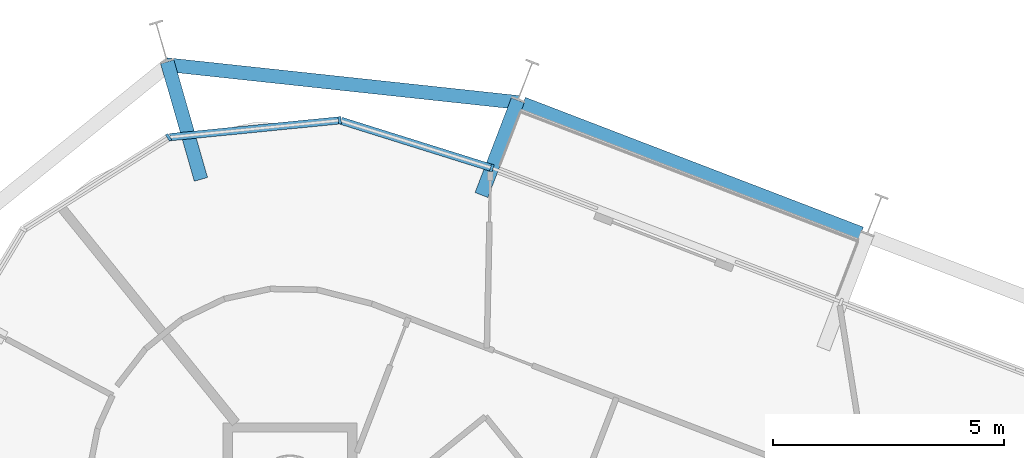
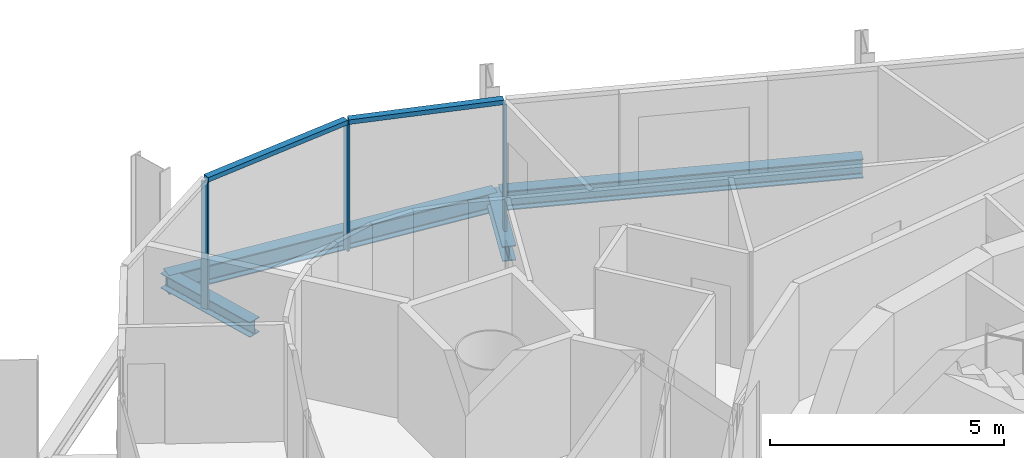
# One storey, part 8 of 17: 5 members, 4 beams, 1 element without a shape of its own.
"""IFC4 building model written with IfcOpenShell, lengths in metres."""

from ifc_helpers import new_model, si_unit, direction, frame, origin, origin_2d, place, context, subcontext, project, spatial, rectangle, i_section, extrude, material, layer, layer_set, material_profile, profile_set, type_object, element, aggregate, save


model = new_model("IFC4")

# Units and contexts
model_context = context("Model", 3, precision=1e-05, world=origin(), true_north=direction((0.0, 1.0)))
body_context = subcontext(model_context, "Body", "Model", "MODEL_VIEW")
ifc_project = project(units=[si_unit("LENGTHUNIT", "METRE"), si_unit("AREAUNIT", "SQUARE_METRE"), si_unit("VOLUMEUNIT", "CUBIC_METRE"), si_unit("PLANEANGLEUNIT", "RADIAN"), si_unit("MASSUNIT", "GRAM", prefix="KILO")], contexts=[model_context])

# Site, building, storey
site_placement = place(None, origin())
site = spatial("IfcSite", under=ifc_project, at=site_placement, CompositionType="ELEMENT")
building_placement = place(site_placement, origin())
building = spatial("IfcBuilding", under=site, at=building_placement, Name="Spindle Arch Residences", CompositionType="ELEMENT")
storey_placement = place(building_placement, frame((0.0, 0.0, 287.89990234375)))
storey = spatial("IfcBuildingStorey", under=building, at=storey_placement, Name="L74", CompositionType="ELEMENT", Elevation=287.89990234375)

# Curtain wall, members
ifc_material_1 = material(Name="Aluminium bronze unitised frame with tinted glass", Category="aluminium")
ifc_layer = layer(ifc_material_1, 0.159912109375)
ifc_layer_set = layer_set([ifc_layer], Name="CW-D corner wall on the fillet arcs")
curtain_wall_type = type_object("IfcCurtainWallType", Name="CW-D corner wall on the fillet arcs", PredefinedType="NOTDEFINED", material=ifc_layer_set)
curtain_wall_placement = place(storey_placement, origin())
curtain_wall = element("IfcCurtainWall", 1, at=curtain_wall_placement, inside=storey, type_object=curtain_wall_type, Name="CW-D L74 run 3", PredefinedType="NOTDEFINED")
ifc_material_2 = material(Name="Aluminium bronze anodised mullion", Category="aluminium")
ifc_material_profile_1 = material_profile(ifc_material_2, rectangle(XDim=0.159912109375, YDim=0.06005859375, at=origin_2d()), Name="MU 60x160")
ifc_profile_set_1 = profile_set([ifc_material_profile_1], Name="Aluminium bronze anodised mullion")
member_type_1 = type_object("IfcMemberType", Name="Bronze mullion 60x160", PredefinedType="MULLION", material=ifc_profile_set_1)
member_1_placement = place(storey_placement, frame((-7.577880859375, 21.73583984375, -0.3798828125), z_axis=(0.0, 0.0, 1.0), x_axis=(-0.298802665594, -0.954314920262, 0.0)))
member_1 = element("IfcMember", 2, at=member_1_placement, type_object=member_type_1, Name="CW-D mullion 00", PredefinedType="MULLION", context=body_context, shape_type="SweptSolid", body=[
    extrude(rectangle(XDim=0.159912109375, YDim=0.06005859375, at=origin_2d()), origin(), (0.0, 0.0, 1.0), 3.31005859375),
])
member_2_placement = place(storey_placement, frame((-10.874755859375, 22.768310546875, -0.3798828125), z_axis=(0.0, 0.0, 1.0), x_axis=(0.098740832762, -0.995113183485, 0.0)))
member_2 = element("IfcMember", 3, at=member_2_placement, type_object=member_type_1, Name="CW-D mullion 01", PredefinedType="MULLION", context=body_context, shape_type="SweptSolid", body=[
    extrude(rectangle(XDim=0.159912109375, YDim=0.06005859375, at=origin_2d()), origin(), (0.0, 0.0, 1.0), 3.31005859375),
])
member_3_placement = place(storey_placement, frame((-14.58349609375, 22.400390625, -0.3798828125), z_axis=(0.0, 0.0, 1.0), x_axis=(0.534844015322, -0.844950814707, 0.0)))
member_3 = element("IfcMember", 4, at=member_3_placement, type_object=member_type_1, Name="CW-D mullion 02", PredefinedType="MULLION", context=body_context, shape_type="SweptSolid", body=[
    extrude(rectangle(XDim=0.159912109375, YDim=0.06005859375, at=origin_2d()), origin(), (0.0, 0.0, 1.0), 3.31005859375),
])
ifc_material_3 = material(Name="Aluminium bronze anodised transom", Category="aluminium")
ifc_material_profile_2 = material_profile(ifc_material_3, rectangle(XDim=0.159912109375, YDim=0.1201171875, at=origin_2d()), Name="TR 120x160")
ifc_profile_set_2 = profile_set([ifc_material_profile_2], Name="Aluminium bronze anodised transom")
member_type_2 = type_object("IfcMemberType", Name="Bronze transom 120x160", PredefinedType="USERDEFINED", material=ifc_profile_set_2)
member_4_placement = place(storey_placement, frame((-7.6064453125, 21.744873046875, 2.989990234375), z_axis=(-0.95431347792, 0.298807272099, 0.0), x_axis=(-0.298807272099, -0.95431347792, 0.0)))
member_4 = element("IfcMember", 5, at=member_4_placement, type_object=member_type_2, Name="CW-D transom 00", ObjectType="TRANSOM", PredefinedType="USERDEFINED", context=body_context, shape_type="SweptSolid", body=[
    extrude(rectangle(XDim=0.159912109375, YDim=0.1201171875, at=origin_2d()), origin(), (0.0, 0.0, 1.0), 3.394775390625),
])
member_5_placement = place(storey_placement, frame((-10.90478515625, 22.765380859375, 2.989990234375), z_axis=(-0.99511271598, -0.098745544182, 0.0), x_axis=(0.098745544182, -0.99511271598, 0.0)))
member_5 = element("IfcMember", 6, at=member_5_placement, type_object=member_type_2, Name="CW-D transom 01", ObjectType="TRANSOM", PredefinedType="USERDEFINED", context=body_context, shape_type="SweptSolid", body=[
    extrude(rectangle(XDim=0.159912109375, YDim=0.1201171875, at=origin_2d()), origin(), (0.0, 0.0, 1.0), 3.66650390625),
])
aggregate(curtain_wall, [member_1, member_4, member_2, member_5, member_3])

# Beams
ifc_material_4 = material(Name="Steel S460ML, intumescent coating R 120", Category="steel")
ifc_material_profile_3 = material_profile(ifc_material_4, i_section(OverallWidth=0.300048828125, OverallDepth=0.5, WebThickness=0.014404296875, FlangeThickness=0.028076171875, FilletRadius=0.027099609375, at=origin_2d()), Name="HEB 500")
ifc_profile_set_3 = profile_set([ifc_material_profile_3], Name="Steel S460ML, intumescent coating R 120")
beam_type_1 = type_object("IfcBeamType", Name="Exoskeleton edge beam HEB 500", PredefinedType="BEAM", material=ifc_profile_set_3)
beam_1_placement = place(storey_placement, frame((0.421875, 20.314697265625, -0.6298828125), z_axis=(-0.933573929793, 0.358384873579, 0.0), x_axis=(-0.358384873579, -0.933573929793, 0.0)))
element("IfcBeam", 7, at=beam_1_placement, inside=storey, type_object=beam_type_1, Name="Exoskeleton edge beam 8", PredefinedType="BEAM", context=body_context, shape_type="SweptSolid", body=[
    extrude(i_section(OverallWidth=0.300048828125, OverallDepth=0.5, WebThickness=0.014404296875, FlangeThickness=0.028076171875, FilletRadius=0.027099609375, at=origin_2d()), origin(), (0.0, 0.0, 1.0), 7.84765625),
])
beam_2_placement = place(storey_placement, frame((-7.004150390625, 23.156005859375, -0.6298828125), z_axis=(-0.994272602523, 0.106873719275, 0.0), x_axis=(-0.106873719275, -0.994272602523, 0.0)))
element("IfcBeam", 8, at=beam_2_placement, inside=storey, type_object=beam_type_1, Name="Exoskeleton edge beam 9", PredefinedType="BEAM", context=body_context, shape_type="SweptSolid", body=[
    extrude(i_section(OverallWidth=0.300048828125, OverallDepth=0.5, WebThickness=0.014404296875, FlangeThickness=0.028076171875, FilletRadius=0.027099609375, at=origin_2d()), origin(), (0.0, 0.0, 1.0), 7.668701171875),
])
ifc_material_5 = material(Name="Steel S460ML, intumescent coating R 120", Category="steel")
ifc_material_profile_4 = material_profile(ifc_material_5, i_section(OverallWidth=0.300048828125, OverallDepth=0.389892578125, WebThickness=0.010986328125, FlangeThickness=0.01904296875, FilletRadius=0.027099609375, at=origin_2d()), Name="HEA 400")
ifc_profile_set_4 = profile_set([ifc_material_profile_4], Name="Steel S460ML, intumescent coating R 120")
beam_type_2 = type_object("IfcBeamType", Name="Floor outrigger HEA 400", PredefinedType="BEAM", material=ifc_profile_set_4)
beam_3_placement = place(storey_placement, frame((-7.01513671875, 23.20166015625, -0.574951171875), z_axis=(-0.358391076308, -0.933571548636, 0.0), x_axis=(0.933571548636, -0.358391076308, 0.0)))
element("IfcBeam", 9, at=beam_3_placement, inside=storey, type_object=beam_type_2, Name="Floor outrigger 9", PredefinedType="BEAM", context=body_context, shape_type="SweptSolid", body=[
    extrude(i_section(OverallWidth=0.300048828125, OverallDepth=0.389892578125, WebThickness=0.010986328125, FlangeThickness=0.01904296875, FilletRadius=0.027099609375, at=origin_2d()), origin(), (0.0, 0.0, 1.0), 2.1982421875),
])
beam_4_placement = place(storey_placement, frame((-14.61328125, 24.03662109375, -0.574951171875), z_axis=(0.275730877709, -0.961234874044, 0.0), x_axis=(0.961234874044, 0.275730877709, 0.0)))
element("IfcBeam", 10, at=beam_4_placement, inside=storey, type_object=beam_type_2, Name="Floor outrigger 10", PredefinedType="BEAM", context=body_context, shape_type="SweptSolid", body=[
    extrude(i_section(OverallWidth=0.300048828125, OverallDepth=0.389892578125, WebThickness=0.010986328125, FlangeThickness=0.01904296875, FilletRadius=0.027099609375, at=origin_2d()), origin(), (0.0, 0.0, 1.0), 2.650146484375),
])

save(model, "model.ifc")
